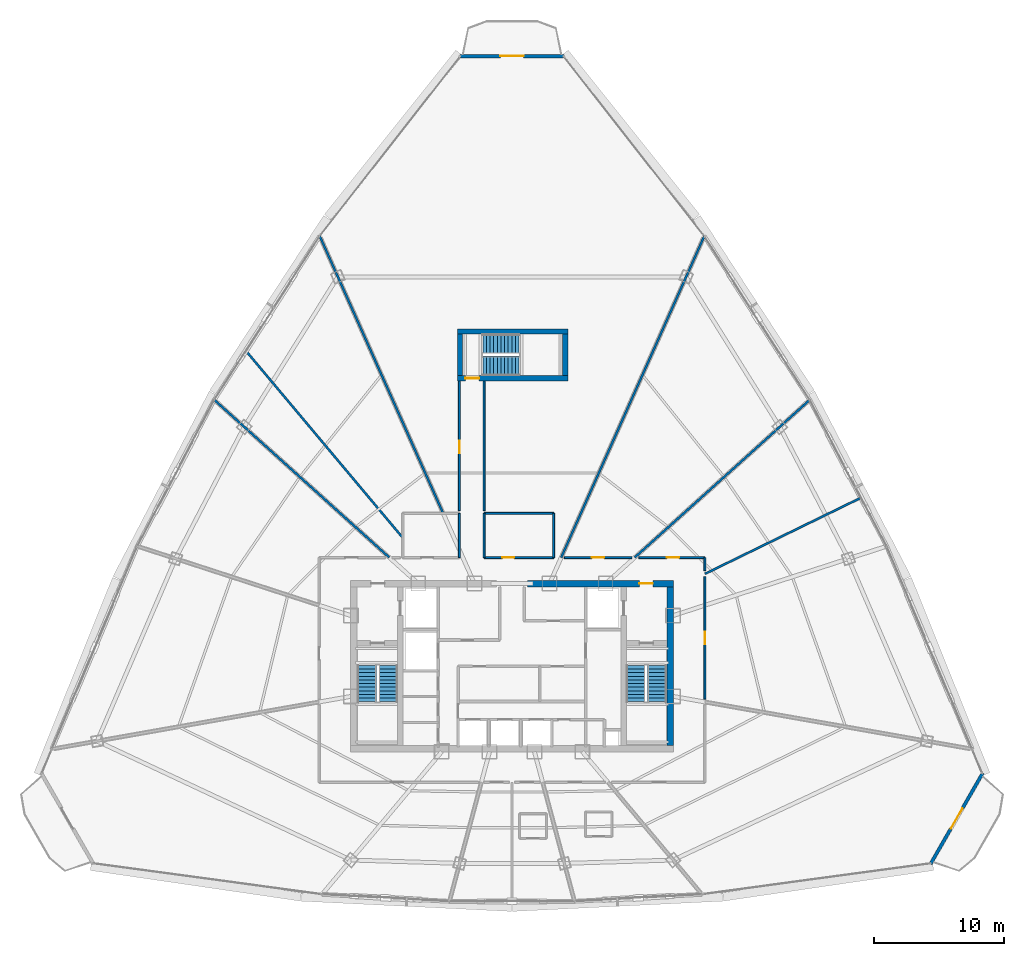
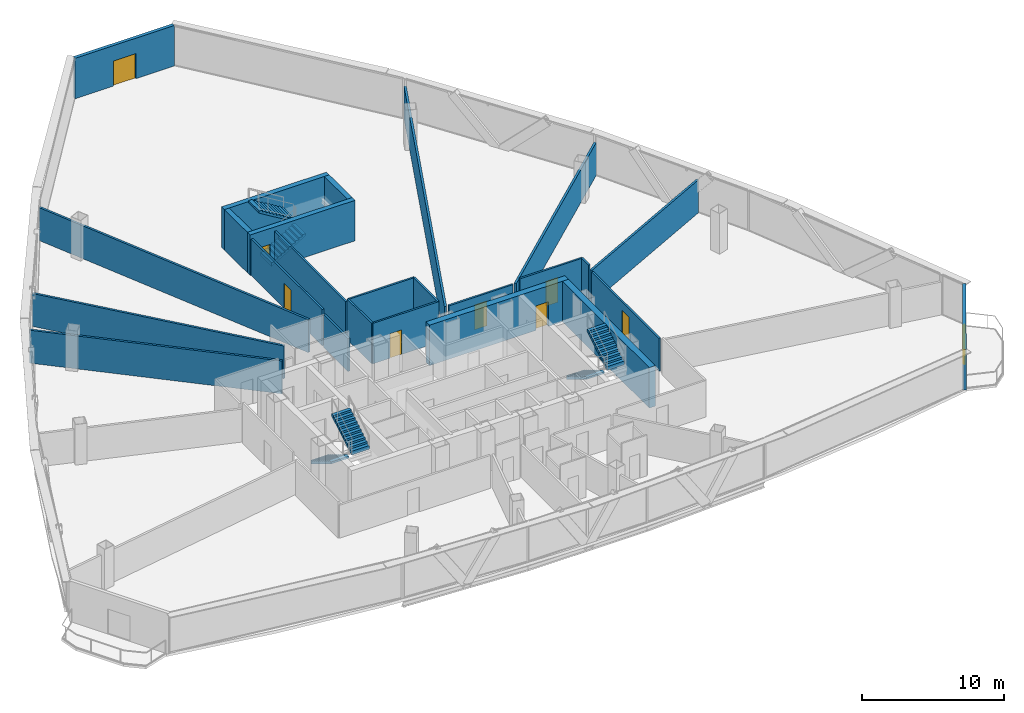
# One storey, part 29 of 34: 25 walls, 9 doors, 6 stair flights, 9 openings, 3 elements without a shape of their own.
"""IFC4 building model written with IfcOpenShell, lengths in metres."""

from ifc_helpers import new_model, si_unit, direction, frame, frame_2d, origin, origin_with_axes, place, context, subcontext, project, spatial, polyline, rectangle, outline, extrude, source, transform, mapped, material, layer, layer_set, type_object, element, fill, aggregate, save


model = new_model("IFC4")

# Units and contexts
model_context = context("Model", 3, precision=1e-05, world=origin(), true_north=direction((0.0, 1.0)))
body_context = subcontext(model_context, "Body", "Model", "MODEL_VIEW")
ifc_project = project(units=[si_unit("LENGTHUNIT", "METRE"), si_unit("AREAUNIT", "SQUARE_METRE"), si_unit("VOLUMEUNIT", "CUBIC_METRE"), si_unit("PLANEANGLEUNIT", "RADIAN"), si_unit("MASSUNIT", "GRAM", prefix="KILO"), si_unit("THERMODYNAMICTEMPERATUREUNIT", "KELVIN"), si_unit("POWERUNIT", "WATT")], contexts=[model_context])

# Site, building, storey
site_placement = place(None, origin())
site = spatial("IfcSite", under=ifc_project, at=site_placement, CompositionType="ELEMENT")
building_placement = place(site_placement, origin())
building = spatial("IfcBuilding", under=site, at=building_placement, Name="Yunzhuo Pagoda Commons", CompositionType="ELEMENT")
storey_placement = place(building_placement, frame((0.0, 0.0, 233.340087890625)))
storey = spatial("IfcBuildingStorey", under=building, at=storey_placement, Name="L58", CompositionType="ELEMENT", Elevation=233.340087890625)

# Wall, opening, door
ifc_material_1 = material(Name="Precast concrete C40", Category="concrete")
ifc_layer_1 = layer(ifc_material_1, 0.260009765625)
ifc_layer_set_1 = layer_set([ifc_layer_1], Name="Precast concrete C40")
wall_type_1 = type_object("IfcWallType", Name="W-BAL1 Corner Balcony Threshold Wall 260", PredefinedType="STANDARD", material=ifc_layer_set_1)
wall_1_placement = place(storey_placement, frame((80.22021484375, 18.607666015625, 0.0), z_axis=(0.0, 0.0, 1.0), x_axis=(0.49791595327, 0.867225289921, 0.0)))
wall_1 = element("IfcWall", 1, at=wall_1_placement, inside=storey, type_object=wall_type_1, Name="L58 corner balcony wall V2", PredefinedType="STANDARD", context=body_context, shape_type="SweptSolid", body=[
    extrude(rectangle(XDim=8.07373046875, YDim=0.260009765625, at=frame_2d((4.036865234375, 0.0))), origin(), (0.0, 0.0, 1.0), 3.469970703125),
])
opening_1_placement = place(wall_1_placement, frame((3.136962890625, 0.0, 0.0)))
opening_1 = element("IfcOpeningElement", 2, at=opening_1_placement, cuts=wall_1, Name="Opening D-BAL1", PredefinedType="OPENING", context=body_context, shape_type="SweptSolid", body=[
    extrude(rectangle(XDim=1.800048828125, YDim=2.14990234375, at=frame_2d((0.89990234375, 1.074951171875))), frame((0.0, 0.14013671875, 0.0), z_axis=(0.0, -1.0, 0.0), x_axis=(1.0, 0.0, 0.0)), (0.0, 0.0, 1.0), 0.280029296875),
])
ifc_material_2 = material(Name="Anodized aluminium frame and tempered glazed leaf", Category="aluminium")
door_type_1 = type_object("IfcDoorType", Name="D-BAL1 Corner Balcony Sliding Glazed Door 1800x2150", OperationType="DOUBLE_DOOR_SLIDING", PredefinedType="DOOR", material=ifc_material_2)
shared_shape_1 = source(origin(), body_context, "Body", "SweptSolid", [
    extrude(rectangle(XDim=1.800048828125, YDim=2.14990234375, at=frame_2d((0.89990234375, 1.074951171875))), frame((0.0, 0.02490234375, 0.0), z_axis=(0.0, -1.0, 0.0), x_axis=(1.0, 0.0, 0.0)), (0.0, 0.0, 1.0), 0.050048828125),
])
door_1_placement = place(opening_1_placement, origin_with_axes())
door_1 = element("IfcDoor", 3, at=door_1_placement, inside=storey, type_object=door_type_1, Name="L58 corner balcony sliding door V2", OperationType="DOUBLE_DOOR_SLIDING", OverallHeight=2.14990234375, OverallWidth=1.800048828125, PredefinedType="DOOR", context=body_context, shape_type="MappedRepresentation", body=[
    mapped(shared_shape_1, transform((0.0, 0.0, 0.0), scale=1.0)),
])
fill(opening_1, door_1)

wall_2_placement = place(storey_placement, frame((52.020751953125, 80.802001953125, 0.0), z_axis=(0.0, 0.0, 1.0), x_axis=(-1.0, 0.0, 0.0)))
wall_2 = element("IfcWall", 4, at=wall_2_placement, inside=storey, type_object=wall_type_1, Name="L58 corner balcony wall V3", PredefinedType="STANDARD", context=body_context, shape_type="SweptSolid", body=[
    extrude(rectangle(XDim=8.04150390625, YDim=0.260009765625, at=frame_2d((4.020751953125, 0.0))), origin(), (0.0, 0.0, 1.0), 3.469970703125),
])
opening_2_placement = place(wall_2_placement, frame((3.120849609375, 0.0, 0.0)))
opening_2 = element("IfcOpeningElement", 5, at=opening_2_placement, cuts=wall_2, Name="Opening D-BAL1", PredefinedType="OPENING", context=body_context, shape_type="SweptSolid", body=[
    extrude(rectangle(XDim=1.800048828125, YDim=2.14990234375, at=frame_2d((0.89990234375, 1.074951171875))), frame((0.0, 0.14013671875, 0.0), z_axis=(0.0, -1.0, 0.0), x_axis=(1.0, 0.0, 0.0)), (0.0, 0.0, 1.0), 0.280029296875),
])
door_2_placement = place(opening_2_placement, origin_with_axes())
door_2 = element("IfcDoor", 6, at=door_2_placement, inside=storey, type_object=door_type_1, Name="L58 corner balcony sliding door V3", OperationType="DOUBLE_DOOR_SLIDING", OverallHeight=2.14990234375, OverallWidth=1.800048828125, PredefinedType="DOOR", context=body_context, shape_type="MappedRepresentation", body=[
    mapped(shared_shape_1, transform((0.0, 0.0, 0.0), scale=1.0)),
])
fill(opening_2, door_2)

ifc_material_3 = material(Name="Concrete C50", Category="concrete")
ifc_layer_2 = layer(ifc_material_3, 0.5)
ifc_layer_set_2 = layer_set([ifc_layer_2], Name="Concrete C50")
wall_type_2 = type_object("IfcWallType", Name="W-C03 Upper Core Shear Wall 500", PredefinedType="SHEAR", material=ifc_layer_set_2)
wall_3_placement = place(storey_placement, frame((49.199951171875, 40.199951171875, 0.0), z_axis=(0.0, 0.0, 1.0), x_axis=(1.0, 0.0, 0.0)))
wall_3 = element("IfcWall", 7, at=wall_3_placement, inside=storey, type_object=wall_type_2, Name="L58 core shear wall NE", PredefinedType="SHEAR", context=body_context, shape_type="SweptSolid", body=[
    extrude(rectangle(XDim=11.25, YDim=0.5, at=frame_2d((5.625, 0.0))), origin(), (0.0, 0.0, 1.0), 3.469970703125),
])
opening_3_placement = place(wall_3_placement, frame((8.60009765625, 0.0, 0.0)))
opening_3 = element("IfcOpeningElement", 8, at=opening_3_placement, cuts=wall_3, Name="Opening D-02", PredefinedType="OPENING", context=body_context, shape_type="SweptSolid", body=[
    extrude(rectangle(XDim=1.050048828125, YDim=2.10009765625, at=frame_2d((0.52490234375, 1.050048828125))), frame((0.0, 0.260009765625, 0.0), z_axis=(0.0, -1.0, 0.0), x_axis=(1.0, 0.0, 0.0)), (0.0, 0.0, 1.0), 0.52001953125),
])
ifc_material_4 = material(Name="Galvanized fire-resisting metal leaf")
door_type_2 = type_object("IfcDoorType", Name="D-02 Firefighting Lobby & Refuge Fire Door 1050x2100", OperationType="NOTDEFINED", PredefinedType="DOOR", material=ifc_material_4)
shared_shape_2 = source(origin(), body_context, "Body", "SweptSolid", [
    extrude(rectangle(XDim=1.050048828125, YDim=2.10009765625, at=frame_2d((0.52490234375, 1.050048828125))), frame((0.0, 0.02490234375, 0.0), z_axis=(0.0, -1.0, 0.0), x_axis=(1.0, 0.0, 0.0)), (0.0, 0.0, 1.0), 0.050048828125),
])
door_3_placement = place(opening_3_placement, frame((1.050048828125, 0.0, 0.0), z_axis=(0.0, 0.0, 1.0), x_axis=(-1.0, 0.0, 0.0)))
door_3 = element("IfcDoor", 9, at=door_3_placement, inside=storey, type_object=door_type_2, Name="L58 Firefighting Lobby 2 fire door", OperationType="SINGLE_SWING_RIGHT", OverallHeight=2.10009765625, OverallWidth=1.050048828125, PredefinedType="DOOR", context=body_context, shape_type="MappedRepresentation", body=[
    mapped(shared_shape_2, transform((0.0, 0.0, 0.0), scale=1.0)),
])
fill(opening_3, door_3)

# Walls
wall_4_placement = place(storey_placement, frame((60.199951171875, 27.75, 0.0), z_axis=(0.0, 0.0, 1.0), x_axis=(0.0, 1.0, 0.0)))
element("IfcWall", 10, at=wall_4_placement, inside=storey, type_object=wall_type_2, Name="L58 core shear wall E", PredefinedType="SHEAR", context=body_context, shape_type="SweptSolid", body=[
    extrude(rectangle(XDim=12.199951171875, YDim=0.5, at=frame_2d((6.10009765625, 0.0))), origin(), (0.0, 0.0, 1.0), 3.469970703125),
])
ifc_material_5 = material(Name="Gypsum plasterboard on acoustic stud")
ifc_layer_3 = layer(ifc_material_5, 0.14990234375)
ifc_layer_set_3 = layer_set([ifc_layer_3], Name="Gypsum plasterboard on acoustic stud")
wall_type_3 = type_object("IfcWallType", Name="W-COR3 High-Zone Rated Corridor Wall 150", PredefinedType="PARTITIONING", material=ifc_layer_set_3)
wall_5_placement = place(storey_placement, frame((43.949951171875, 42.199951171875, 0.0), z_axis=(0.0, 0.0, 1.0), x_axis=(0.0, 1.0, 0.0)))
element("IfcWall", 11, at=wall_5_placement, inside=storey, type_object=wall_type_3, Name="L58 interior wall IW-L58-TFWE", PredefinedType="PARTITIONING", context=body_context, shape_type="SweptSolid", body=[
    extrude(rectangle(XDim=3.400146484375, YDim=0.14990234375, at=frame_2d((1.7001953125, 0.0))), origin(), (0.0, 0.0, 1.0), 2.81982421875),
])

# Wall, opening, door
wall_6_placement = place(storey_placement, frame((45.85009765625, 42.199951171875, 0.0), z_axis=(0.0, 0.0, 1.0), x_axis=(1.0, 0.0, 0.0)))
wall_6 = element("IfcWall", 12, at=wall_6_placement, inside=storey, type_object=wall_type_3, Name="L58 interior wall IW-L58-TFES", PredefinedType="PARTITIONING", context=body_context, shape_type="SweptSolid", body=[
    extrude(rectangle(XDim=5.349853515625, YDim=0.14990234375, at=frame_2d((2.6748046875, 0.0))), origin(), (0.0, 0.0, 1.0), 3.469970703125),
])
opening_4_placement = place(wall_6_placement, frame((1.39990234375, 0.0, 0.0)))
opening_4 = element("IfcOpeningElement", 13, at=opening_4_placement, cuts=wall_6, Name="Opening D-11", PredefinedType="OPENING", context=body_context, shape_type="SweptSolid", body=[
    extrude(rectangle(XDim=0.93994140625, YDim=2.10009765625, at=frame_2d((0.469970703125, 1.050048828125))), frame((0.0, 0.0849609375, 0.0), z_axis=(0.0, -1.0, 0.0), x_axis=(1.0, 0.0, 0.0)), (0.0, 0.0, 1.0), 0.169921875),
])
door_type_3 = type_object("IfcDoorType", Name="D-11 Accessible Washroom Fire Door 940x2100", OperationType="NOTDEFINED", PredefinedType="DOOR", material=ifc_material_4)
shared_shape_3 = source(origin(), body_context, "Body", "SweptSolid", [
    extrude(rectangle(XDim=0.93994140625, YDim=2.10009765625, at=frame_2d((0.469970703125, 1.050048828125))), frame((0.0, 0.02490234375, 0.0), z_axis=(0.0, -1.0, 0.0), x_axis=(1.0, 0.0, 0.0)), (0.0, 0.0, 1.0), 0.050048828125),
])
door_4_placement = place(opening_4_placement, frame((0.93994140625, 0.0, 0.0), z_axis=(0.0, 0.0, 1.0), x_axis=(-1.0, 0.0, 0.0)))
door_4 = element("IfcDoor", 14, at=door_4_placement, inside=storey, type_object=door_type_3, Name="L58 accessible WC door", OperationType="SINGLE_SWING_RIGHT", OverallHeight=2.10009765625, OverallWidth=0.93994140625, PredefinedType="DOOR", context=body_context, shape_type="MappedRepresentation", body=[
    mapped(shared_shape_3, transform((0.0, 0.0, 0.0), scale=1.0)),
])
fill(opening_4, door_4)

# Walls
wall_7_placement = place(storey_placement, frame((45.85009765625, 45.60009765625, 0.0), z_axis=(0.0, 0.0, 1.0), x_axis=(1.0, 0.0, 0.0)))
element("IfcWall", 15, at=wall_7_placement, inside=storey, type_object=wall_type_3, Name="L58 interior wall IW-L58-TFEN", PredefinedType="PARTITIONING", context=body_context, shape_type="SweptSolid", body=[
    extrude(rectangle(XDim=5.349853515625, YDim=0.14990234375, at=frame_2d((2.6748046875, 0.0))), origin(), (0.0, 0.0, 1.0), 3.469970703125),
])
for number, where, z_axis, x_axis, name in (
    (16, (45.85009765625, 42.199951171875, 0.0), (0.0, 0.0, 1.0), (0.0, 1.0, 0.0), "L58 interior wall IW-L58-TFEW"),
    (17, (51.199951171875, 42.199951171875, 0.0), (0.0, 0.0, 1.0), (0.0, 1.0, 0.0), "L58 interior wall IW-L58-TFEE"),
):
    element("IfcWall", number, at=place(storey_placement, frame(where, z_axis=z_axis, x_axis=x_axis)), inside=storey, type_object=wall_type_3, Name=name, PredefinedType="PARTITIONING", context=body_context, shape_type="SweptSolid", body=[
        extrude(rectangle(XDim=3.400146484375, YDim=0.14990234375, at=frame_2d((1.7001953125, 0.0))), origin(), (0.0, 0.0, 1.0), 3.469970703125),
    ])

# Wall, opening, door
wall_8_placement = place(storey_placement, frame((43.949951171875, 45.820068359375, 0.0), z_axis=(0.0, 0.0, 1.0), x_axis=(0.0, 1.0, 0.0)))
wall_8 = element("IfcWall", 18, at=wall_8_placement, inside=storey, type_object=wall_type_3, Name="L58 interior wall IW-L58-CWL06", PredefinedType="PARTITIONING", context=body_context, shape_type="SweptSolid", body=[
    extrude(rectangle(XDim=9.9599609375, YDim=0.14990234375, at=frame_2d((4.97998046875, 0.0))), origin(), (0.0, 0.0, 1.0), 3.119873046875),
])
opening_5_placement = place(wall_8_placement, frame((4.39501953125, 0.0, 0.0)))
opening_5 = element("IfcOpeningElement", 19, at=opening_5_placement, cuts=wall_8, Name="Opening D-08", PredefinedType="OPENING", context=body_context, shape_type="SweptSolid", body=[
    extrude(rectangle(XDim=0.97998046875, YDim=2.1201171875, at=frame_2d((0.489990234375, 1.06005859375))), frame((0.0, 0.0849609375, 0.0), z_axis=(0.0, -1.0, 0.0), x_axis=(1.0, 0.0, 0.0)), (0.0, 0.0, 1.0), 0.169921875),
])
door_type_4 = type_object("IfcDoorType", Name="D-08 High-Zone Suite Entrance Fire Door 980x2120", OperationType="NOTDEFINED", PredefinedType="DOOR", material=ifc_material_4)
shared_shape_4 = source(origin(), body_context, "Body", "SweptSolid", [
    extrude(rectangle(XDim=0.97998046875, YDim=2.1201171875, at=frame_2d((0.489990234375, 1.06005859375))), frame((0.0, 0.02490234375, 0.0), z_axis=(0.0, -1.0, 0.0), x_axis=(1.0, 0.0, 0.0)), (0.0, 0.0, 1.0), 0.050048828125),
])
door_5_placement = place(opening_5_placement, origin_with_axes())
door_5 = element("IfcDoor", 20, at=door_5_placement, inside=storey, type_object=door_type_4, Name="L58 unit 04 entrance door", OperationType="SINGLE_SWING_RIGHT", OverallHeight=2.1201171875, OverallWidth=0.97998046875, PredefinedType="DOOR", context=body_context, shape_type="MappedRepresentation", body=[
    mapped(shared_shape_4, transform((0.0, 0.0, 0.0), scale=1.0)),
])
fill(opening_5, door_5)

# Wall
wall_9_placement = place(storey_placement, frame((45.85009765625, 55.780029296875, 0.0), z_axis=(0.0, 0.0, 1.0), x_axis=(0.0, -1.0, 0.0)))
element("IfcWall", 21, at=wall_9_placement, inside=storey, type_object=wall_type_3, Name="L58 interior wall IW-L58-CWL07", PredefinedType="PARTITIONING", context=body_context, shape_type="SweptSolid", body=[
    extrude(rectangle(XDim=9.9599609375, YDim=0.14990234375, at=frame_2d((4.97998046875, 0.0))), origin(), (0.0, 0.0, 1.0), 3.119873046875),
])

# Wall, opening, door
wall_10_placement = place(storey_placement, frame((52.025146484375, 42.199951171875, 0.0), z_axis=(0.0, 0.0, 1.0), x_axis=(1.0, 0.0, 0.0)))
wall_10 = element("IfcWall", 22, at=wall_10_placement, inside=storey, type_object=wall_type_3, Name="L58 interior wall IW-L58-CWL08", PredefinedType="PARTITIONING", context=body_context, shape_type="SweptSolid", body=[
    extrude(rectangle(XDim=5.1953125, YDim=0.14990234375, at=frame_2d((2.59765625, 0.0))), origin(), (0.0, 0.0, 1.0), 2.81982421875),
])
opening_6_placement = place(wall_10_placement, frame((2.112060546875, 0.0, 0.0)))
opening_6 = element("IfcOpeningElement", 23, at=opening_6_placement, cuts=wall_10, Name="Opening D-08", PredefinedType="OPENING", context=body_context, shape_type="SweptSolid", body=[
    extrude(rectangle(XDim=0.97998046875, YDim=2.1201171875, at=frame_2d((0.489990234375, 1.06005859375))), frame((0.0, 0.0849609375, 0.0), z_axis=(0.0, -1.0, 0.0), x_axis=(1.0, 0.0, 0.0)), (0.0, 0.0, 1.0), 0.169921875),
])
door_6_placement = place(opening_6_placement, origin_with_axes())
door_6 = element("IfcDoor", 24, at=door_6_placement, inside=storey, type_object=door_type_4, Name="L58 unit 03 entrance door", OperationType="SINGLE_SWING_LEFT", OverallHeight=2.1201171875, OverallWidth=0.97998046875, PredefinedType="DOOR", context=body_context, shape_type="MappedRepresentation", body=[
    mapped(shared_shape_4, transform((0.0, 0.0, 0.0), scale=1.0)),
])
fill(opening_6, door_6)

wall_11_placement = place(storey_placement, frame((57.76904296875, 42.199951171875, 0.0), z_axis=(0.0, 0.0, 1.0), x_axis=(1.0, 0.0, 0.0)))
wall_11 = element("IfcWall", 25, at=wall_11_placement, inside=storey, type_object=wall_type_3, Name="L58 interior wall IW-L58-CWL09", PredefinedType="PARTITIONING", context=body_context, shape_type="SweptSolid", body=[
    extrude(rectangle(XDim=5.0810546875, YDim=0.14990234375, at=frame_2d((2.54052734375, 0.0))), origin(), (0.0, 0.0, 1.0), 3.119873046875),
])
opening_7_placement = place(wall_11_placement, frame((2.131103515625, 0.0, 0.0)))
opening_7 = element("IfcOpeningElement", 26, at=opening_7_placement, cuts=wall_11, Name="Opening D-08", PredefinedType="OPENING", context=body_context, shape_type="SweptSolid", body=[
    extrude(rectangle(XDim=0.97998046875, YDim=2.1201171875, at=frame_2d((0.489990234375, 1.06005859375))), frame((0.0, 0.0849609375, 0.0), z_axis=(0.0, -1.0, 0.0), x_axis=(1.0, 0.0, 0.0)), (0.0, 0.0, 1.0), 0.169921875),
])
door_7_placement = place(opening_7_placement, origin_with_axes())
door_7 = element("IfcDoor", 27, at=door_7_placement, inside=storey, type_object=door_type_4, Name="L58 unit 02 entrance door", OperationType="SINGLE_SWING_RIGHT", OverallHeight=2.1201171875, OverallWidth=0.97998046875, PredefinedType="DOOR", context=body_context, shape_type="MappedRepresentation", body=[
    mapped(shared_shape_4, transform((0.0, 0.0, 0.0), scale=1.0)),
])
fill(opening_7, door_7)

# Wall
wall_12_placement = place(storey_placement, frame((62.85009765625, 42.199951171875, 0.0), z_axis=(0.0, 0.0, 1.0), x_axis=(0.0, -1.0, 0.0)))
element("IfcWall", 28, at=wall_12_placement, inside=storey, type_object=wall_type_3, Name="L58 interior wall IW-L58-CWL10", PredefinedType="PARTITIONING", context=body_context, shape_type="SweptSolid", body=[
    extrude(rectangle(XDim=1.012451171875, YDim=0.14990234375, at=frame_2d((0.50634765625, 0.0))), origin(), (0.0, 0.0, 1.0), 3.119873046875),
])

# Wall, opening, door
wall_13_placement = place(storey_placement, frame((62.85009765625, 40.722900390625, 0.0), z_axis=(0.0, 0.0, 1.0), x_axis=(0.0, -1.0, 0.0)))
wall_13 = element("IfcWall", 29, at=wall_13_placement, inside=storey, type_object=wall_type_3, Name="L58 interior wall IW-L58-CWL11", PredefinedType="PARTITIONING", context=body_context, shape_type="SweptSolid", body=[
    extrude(rectangle(XDim=9.421630859375, YDim=0.14990234375, at=frame_2d((4.7109375, 0.0))), origin(), (0.0, 0.0, 1.0), 2.81982421875),
])
opening_8_placement = place(wall_13_placement, frame((4.23583984375, 0.0, 0.0)))
opening_8 = element("IfcOpeningElement", 30, at=opening_8_placement, cuts=wall_13, Name="Opening D-08", PredefinedType="OPENING", context=body_context, shape_type="SweptSolid", body=[
    extrude(rectangle(XDim=0.97998046875, YDim=2.1201171875, at=frame_2d((0.489990234375, 1.06005859375))), frame((0.0, 0.0849609375, 0.0), z_axis=(0.0, -1.0, 0.0), x_axis=(1.0, 0.0, 0.0)), (0.0, 0.0, 1.0), 0.169921875),
])
door_8_placement = place(opening_8_placement, origin_with_axes())
door_8 = element("IfcDoor", 31, at=door_8_placement, inside=storey, type_object=door_type_4, Name="L58 Shared Resident Kitchen and Pantry door", OperationType="SINGLE_SWING_LEFT", OverallHeight=2.1201171875, OverallWidth=0.97998046875, PredefinedType="DOOR", context=body_context, shape_type="MappedRepresentation", body=[
    mapped(shared_shape_4, transform((0.0, 0.0, 0.0), scale=1.0)),
])
fill(opening_8, door_8)

# Walls
ifc_layer_4 = layer(ifc_material_5, 0.169921875)
ifc_layer_set_4 = layer_set([ifc_layer_4], Name="Gypsum plasterboard on acoustic stud")
wall_type_4 = type_object("IfcWallType", Name="W-PRT4 High-Zone Demising Wall 170", PredefinedType="PARTITIONING", material=ifc_layer_set_4)
wall_14_placement = place(storey_placement, frame((62.85009765625, 40.94287109375, 0.0), z_axis=(0.0, 0.0, 1.0), x_axis=(0.89879807188, 0.438362893029, 0.0)))
element("IfcWall", 32, at=wall_14_placement, inside=storey, type_object=wall_type_4, Name="L58 interior wall IW-L58-RAD01", PredefinedType="PARTITIONING", context=body_context, shape_type="SweptSolid", body=[
    extrude(rectangle(XDim=13.3837890625, YDim=0.169921875, at=frame_2d((6.69189453125, 0.0))), origin(), (0.0, 0.0, 1.0), 2.81982421875),
])
wall_15_placement = place(storey_placement, frame((57.440185546875, 42.199951171875, 0.0), z_axis=(0.0, 0.0, 1.0), x_axis=(0.743147575456, 0.669127552185, 0.0)))
element("IfcWall", 33, at=wall_15_placement, inside=storey, type_object=wall_type_4, Name="L58 interior wall IW-L58-RAD02", PredefinedType="PARTITIONING", context=body_context, shape_type="SweptSolid", body=[
    extrude(rectangle(XDim=18.140625, YDim=0.169921875, at=frame_2d((9.0703125, 0.0))), origin(), (0.0, 0.0, 1.0), 2.81982421875),
])
wall_16_placement = place(storey_placement, frame((51.784423828125, 42.199951171875, 0.0), z_axis=(0.0, 0.0, 1.0), x_axis=(0.406737084028, 0.913545261318, 0.0)))
element("IfcWall", 34, at=wall_16_placement, inside=storey, type_object=wall_type_4, Name="L58 interior wall IW-L58-RAD03", PredefinedType="PARTITIONING", context=body_context, shape_type="SweptSolid", body=[
    extrude(rectangle(XDim=27.090087890625, YDim=0.169921875, at=frame_2d((13.544921875, 0.0))), origin(), (0.0, 0.0, 1.0), 2.81982421875),
])
wall_17_placement = place(storey_placement, frame((42.701904296875, 45.60009765625, 0.0), z_axis=(0.0, 0.0, 1.0), x_axis=(-0.406743256781, 0.913542513003, 0.0)))
element("IfcWall", 35, at=wall_17_placement, inside=storey, type_object=wall_type_4, Name="L58 interior wall IW-L58-RAD04", PredefinedType="PARTITIONING", context=body_context, shape_type="SweptSolid", body=[
    extrude(rectangle(XDim=23.3681640625, YDim=0.169921875, at=frame_2d((11.68408203125, 0.0))), origin(), (0.0, 0.0, 1.0), 2.81982421875),
])
wall_18_placement = place(storey_placement, frame((39.60009765625, 43.710693359375, 0.0), z_axis=(0.0, 0.0, 1.0), x_axis=(-0.642791950905, 0.766040800383, 0.0)))
element("IfcWall", 36, at=wall_18_placement, inside=storey, type_object=wall_type_4, Name="L58 interior wall IW-L58-RAD05", PredefinedType="PARTITIONING", context=body_context, shape_type="SweptSolid", body=[
    extrude(rectangle(XDim=18.806396484375, YDim=0.169921875, at=frame_2d((9.4033203125, 0.0))), origin(), (0.0, 0.0, 1.0), 2.81982421875),
])
wall_19_placement = place(storey_placement, frame((38.559814453125, 42.199951171875, 0.0), z_axis=(0.0, 0.0, 1.0), x_axis=(-0.743147575456, 0.669127552185, 0.0)))
element("IfcWall", 37, at=wall_19_placement, inside=storey, type_object=wall_type_4, Name="L58 interior wall IW-L58-RAD06", PredefinedType="PARTITIONING", context=body_context, shape_type="SweptSolid", body=[
    extrude(rectangle(XDim=18.140625, YDim=0.169921875, at=frame_2d((9.0703125, 0.0))), origin(), (0.0, 0.0, 1.0), 2.81982421875),
])
ifc_material_6 = material(Name="Concrete C60", Category="concrete")
ifc_layer_5 = layer(ifc_material_6, 0.39990234375)
ifc_layer_set_5 = layer_set([ifc_layer_5], Name="Concrete C60")
wall_type_5 = type_object("IfcWallType", Name="W-S01 Internal Core Shear Web 400", PredefinedType="SHEAR", material=ifc_layer_set_5)
wall_20_placement = place(storey_placement, frame((43.800048828125, 59.60009765625, 0.0), z_axis=(0.0, 0.0, 1.0), x_axis=(1.0, 0.0, 0.0)))
element("IfcWall", 38, at=wall_20_placement, inside=storey, type_object=wall_type_5, Name="L58 ST3 structural stair wall N", PredefinedType="SHEAR", context=body_context, shape_type="SweptSolid", body=[
    extrude(rectangle(XDim=8.5, YDim=0.39990234375, at=frame_2d((4.25, 0.0))), origin(), (0.0, 0.0, 1.0), 3.469970703125),
])

# Wall, opening, door
wall_21_placement = place(storey_placement, frame((43.800048828125, 56.0, 0.0), z_axis=(0.0, 0.0, 1.0), x_axis=(1.0, 0.0, 0.0)))
wall_21 = element("IfcWall", 39, at=wall_21_placement, inside=storey, type_object=wall_type_5, Name="L58 ST3 structural stair wall S", PredefinedType="SHEAR", context=body_context, shape_type="SweptSolid", body=[
    extrude(rectangle(XDim=8.5, YDim=0.39990234375, at=frame_2d((4.25, 0.0))), origin(), (0.0, 0.0, 1.0), 3.469970703125),
])
opening_9_placement = place(wall_21_placement, frame((0.6201171875, 0.0, 0.0)))
opening_9 = element("IfcOpeningElement", 40, at=opening_9_placement, cuts=wall_21, Name="Opening D-01", PredefinedType="OPENING", context=body_context, shape_type="SweptSolid", body=[
    extrude(rectangle(XDim=1.050048828125, YDim=2.10009765625, at=frame_2d((0.52490234375, 1.050048828125))), frame((0.0, 0.2099609375, 0.0), z_axis=(0.0, -1.0, 0.0), x_axis=(1.0, 0.0, 0.0)), (0.0, 0.0, 1.0), 0.419921875),
])
door_type_5 = type_object("IfcDoorType", Name="D-01 Smokeproof Stair Fire Door 1050x2100", OperationType="NOTDEFINED", PredefinedType="DOOR", material=ifc_material_4)
door_9_placement = place(opening_9_placement, frame((1.050048828125, 0.0, 0.0), z_axis=(0.0, 0.0, 1.0), x_axis=(-1.0, 0.0, 0.0)))
door_9 = element("IfcDoor", 41, at=door_9_placement, inside=storey, type_object=door_type_5, Name="L58 Stair ST3 fire door", OperationType="SINGLE_SWING_LEFT", OverallHeight=2.10009765625, OverallWidth=1.050048828125, PredefinedType="DOOR", context=body_context, shape_type="MappedRepresentation", body=[
    mapped(shared_shape_2, transform((0.0, 0.0, 0.0), scale=1.0)),
])
fill(opening_9, door_9)

# Walls
for number, where, z_axis, x_axis, name in (
    (42, (44.0, 56.199951171875, 0.0), (0.0, 0.0, 1.0), (0.0, 1.0, 0.0), "L58 ST3 structural stair wall W"),
    (43, (52.10009765625, 56.199951171875, 0.0), (0.0, 0.0, 1.0), (0.0, 1.0, 0.0), "L58 ST3 structural stair wall E"),
):
    element("IfcWall", number, at=place(storey_placement, frame(where, z_axis=z_axis, x_axis=x_axis)), inside=storey, type_object=wall_type_5, Name=name, PredefinedType="SHEAR", context=body_context, shape_type="SweptSolid", body=[
        extrude(rectangle(XDim=3.199951171875, YDim=0.39990234375, at=frame_2d((1.60009765625, 0.0))), origin(), (0.0, 0.0, 1.0), 3.469970703125),
    ])

# Stair, stair flights
ifc_material_7 = material(Name="Concrete C40", Category="concrete")
stair_type_1 = type_object("IfcStairType", Name="ST-C1 Core Smokeproof Stair ST1", PredefinedType="HALF_TURN_STAIR", material=ifc_material_7)
stair_1_placement = place(storey_placement, origin())
stair_1 = element("IfcStair", 44, at=stair_1_placement, inside=storey, type_object=stair_type_1, Name="L58 Core smokeproof stair ST1", PredefinedType="HALF_TURN_STAIR")
stair_flight_type_1 = type_object("IfcStairFlightType", Name="STF-C1 Core Stair Flight 1450", PredefinedType="STRAIGHT", material=ifc_material_7)
shared_shape_5 = source(origin(), body_context, "Body", "SweptSolid", [
    extrude(outline(polyline([(0.0, -0.14990234375), (0.0, 0.0), (0.0, 0.16943359375), (0.280029296875, 0.16943359375), (0.280029296875, 0.339111328125), (0.56005859375, 0.339111328125), (0.56005859375, 0.508544921875), (0.840087890625, 0.508544921875), (0.840087890625, 0.67822265625), (1.1201171875, 0.67822265625), (1.1201171875, 0.84765625), (1.39990234375, 0.84765625), (1.39990234375, 1.017333984375), (1.679931640625, 1.017333984375), (1.679931640625, 1.186767578125), (1.9599609375, 1.186767578125), (1.9599609375, 1.3564453125), (2.239990234375, 1.3564453125), (2.239990234375, 1.52587890625), (2.52001953125, 1.52587890625), (2.52001953125, 1.695556640625), (2.800048828125, 1.695556640625), (2.800048828125, 1.864990234375), (2.800048828125, 1.520263671875), (0.289306640625, 0.0), (0.050048828125, -0.14990234375), (0.0, -0.14990234375)])), frame((0.0, 0.72509765625, 0.0), z_axis=(0.0, -1.0, 0.0), x_axis=(1.0, 0.0, 0.0)), (0.0, 0.0, 1.0), 1.449951171875),
])
stair_flight_1_placement = place(storey_placement, frame((36.824951171875, 33.89990234375, 0.0), z_axis=(0.0, 0.0, 1.0), x_axis=(0.0, -1.0, 0.0)))
stair_flight_1 = element("IfcStairFlight", 45, at=stair_flight_1_placement, type_object=stair_flight_type_1, Name="ST1 flight 1", NumberOfRisers=11, NumberOfTreads=10, PredefinedType="STRAIGHT", RiserHeight=0.169545455, TreadLength=0.28, context=body_context, shape_type="MappedRepresentation", body=[
    mapped(shared_shape_5, transform((0.0, 0.0, 0.0), scale=1.0)),
])
stair_flight_2_placement = place(storey_placement, frame((38.47509765625, 31.10009765625, 1.864990234375), z_axis=(0.0, 0.0, 1.0), x_axis=(0.0, 1.0, 0.0)))
stair_flight_2 = element("IfcStairFlight", 46, at=stair_flight_2_placement, type_object=stair_flight_type_1, Name="ST1 flight 2", NumberOfRisers=11, NumberOfTreads=10, PredefinedType="STRAIGHT", RiserHeight=0.169545455, TreadLength=0.28, context=body_context, shape_type="MappedRepresentation", body=[
    mapped(shared_shape_5, transform((0.0, 0.0, 0.0), scale=1.0)),
])
aggregate(stair_1, [stair_flight_1, stair_flight_2])

stair_type_2 = type_object("IfcStairType", Name="ST-C2 Core Smokeproof Stair ST2", PredefinedType="HALF_TURN_STAIR", material=ifc_material_7)
stair_2_placement = place(storey_placement, origin())
stair_2 = element("IfcStair", 47, at=stair_2_placement, inside=storey, type_object=stair_type_2, Name="L58 Core smokeproof stair ST2", PredefinedType="HALF_TURN_STAIR")
stair_flight_type_2 = type_object("IfcStairFlightType", Name="STF-C2 Core Stair Flight 1460", PredefinedType="STRAIGHT", material=ifc_material_7)
stair_flight_3_placement = place(storey_placement, frame((57.52490234375, 33.89990234375, 0.0), z_axis=(0.0, 0.0, 1.0), x_axis=(0.0, -1.0, 0.0)))
stair_flight_3 = element("IfcStairFlight", 48, at=stair_flight_3_placement, type_object=stair_flight_type_2, Name="ST2 flight 1", NumberOfRisers=11, NumberOfTreads=10, PredefinedType="STRAIGHT", RiserHeight=0.169545455, TreadLength=0.28, context=body_context, shape_type="MappedRepresentation", body=[
    mapped(shared_shape_5, transform((0.0, 0.0, 0.0), scale=1.0)),
])
stair_flight_4_placement = place(storey_placement, frame((59.175048828125, 31.10009765625, 1.864990234375), z_axis=(0.0, 0.0, 1.0), x_axis=(0.0, 1.0, 0.0)))
stair_flight_4 = element("IfcStairFlight", 49, at=stair_flight_4_placement, type_object=stair_flight_type_2, Name="ST2 flight 2", NumberOfRisers=11, NumberOfTreads=10, PredefinedType="STRAIGHT", RiserHeight=0.169545455, TreadLength=0.28, context=body_context, shape_type="MappedRepresentation", body=[
    mapped(shared_shape_5, transform((0.0, 0.0, 0.0), scale=1.0)),
])
aggregate(stair_2, [stair_flight_3, stair_flight_4])

stair_type_3 = type_object("IfcStairType", Name="ST-C3 North Tower Smokeproof Stair ST3", PredefinedType="HALF_TURN_STAIR", material=ifc_material_7)
stair_3_placement = place(storey_placement, origin())
stair_3 = element("IfcStair", 50, at=stair_3_placement, inside=storey, type_object=stair_type_3, Name="L58 North tower smokeproof stair ST3", PredefinedType="HALF_TURN_STAIR")
stair_flight_type_3 = type_object("IfcStairFlightType", Name="STF-C3 North Stair Flight 1500", PredefinedType="STRAIGHT", material=ifc_material_7)
shared_shape_6 = source(origin(), body_context, "Body", "SweptSolid", [
    extrude(outline(polyline([(0.0, -0.14990234375), (0.0, 0.0), (0.0, 0.16943359375), (0.280029296875, 0.16943359375), (0.280029296875, 0.339111328125), (0.56005859375, 0.339111328125), (0.56005859375, 0.508544921875), (0.840087890625, 0.508544921875), (0.840087890625, 0.67822265625), (1.1201171875, 0.67822265625), (1.1201171875, 0.84765625), (1.39990234375, 0.84765625), (1.39990234375, 1.017333984375), (1.679931640625, 1.017333984375), (1.679931640625, 1.186767578125), (1.9599609375, 1.186767578125), (1.9599609375, 1.3564453125), (2.239990234375, 1.3564453125), (2.239990234375, 1.52587890625), (2.52001953125, 1.52587890625), (2.52001953125, 1.695556640625), (2.800048828125, 1.695556640625), (2.800048828125, 1.864990234375), (2.800048828125, 1.520263671875), (0.289306640625, 0.0), (0.050048828125, -0.14990234375), (0.0, -0.14990234375)])), frame((0.0, 0.75, 0.0), z_axis=(0.0, -1.0, 0.0), x_axis=(1.0, 0.0, 0.0)), (0.0, 0.0, 1.0), 1.5),
])
stair_flight_5_placement = place(storey_placement, frame((45.75, 56.949951171875, 0.0), z_axis=(0.0, 0.0, 1.0), x_axis=(1.0, 0.0, 0.0)))
stair_flight_5 = element("IfcStairFlight", 51, at=stair_flight_5_placement, type_object=stair_flight_type_3, Name="ST3 flight 1", NumberOfRisers=11, NumberOfTreads=10, PredefinedType="STRAIGHT", RiserHeight=0.169545455, TreadLength=0.28, context=body_context, shape_type="MappedRepresentation", body=[
    mapped(shared_shape_6, transform((0.0, 0.0, 0.0), scale=1.0)),
])
stair_flight_6_placement = place(storey_placement, frame((48.550048828125, 58.64990234375, 1.864990234375), z_axis=(0.0, 0.0, 1.0), x_axis=(-1.0, 0.0, 0.0)))
stair_flight_6 = element("IfcStairFlight", 52, at=stair_flight_6_placement, type_object=stair_flight_type_3, Name="ST3 flight 2", NumberOfRisers=11, NumberOfTreads=10, PredefinedType="STRAIGHT", RiserHeight=0.169545455, TreadLength=0.28, context=body_context, shape_type="MappedRepresentation", body=[
    mapped(shared_shape_6, transform((0.0, 0.0, 0.0), scale=1.0)),
])
aggregate(stair_3, [stair_flight_5, stair_flight_6])

save(model, "model.ifc")
